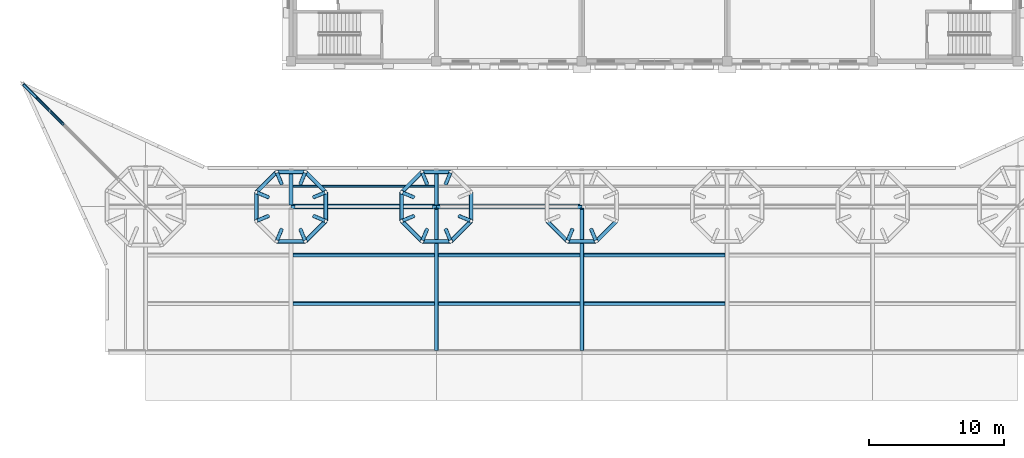
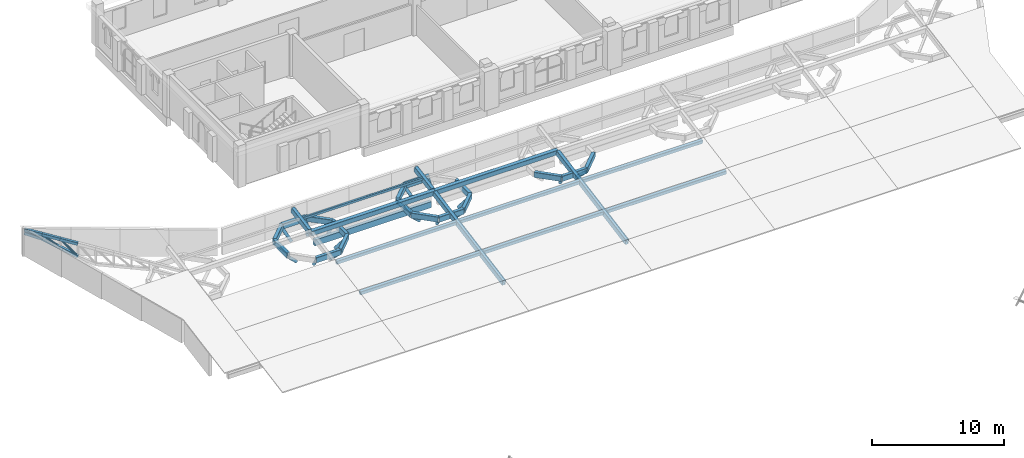
# One storey, part 3 of 32: 31 beams, 25 members.
"""IFC4 building model written with IfcOpenShell, lengths in metres."""

from ifc_helpers import new_model, si_unit, direction, frame, origin, origin_2d, place, context, subcontext, project, spatial, rectangle, hollow_rectangle, hollow_circle, extrude, clip, halfspace, material, material_profile, profile_set, type_object, element, save


model = new_model("IFC4")

# Units and contexts
model_context = context("Model", 3, precision=1e-05, world=origin(), true_north=direction((0.0, 1.0)))
body_context = subcontext(model_context, "Body", "Model", "MODEL_VIEW")
ifc_project = project(units=[si_unit("LENGTHUNIT", "METRE"), si_unit("AREAUNIT", "SQUARE_METRE"), si_unit("VOLUMEUNIT", "CUBIC_METRE"), si_unit("PLANEANGLEUNIT", "RADIAN"), si_unit("MASSUNIT", "GRAM", prefix="KILO")], contexts=[model_context])

# Site, building, storey
site_placement = place(None, origin())
site = spatial("IfcSite", under=ifc_project, at=site_placement, CompositionType="ELEMENT")
building_placement = place(site_placement, origin())
building = spatial("IfcBuilding", under=site, at=building_placement, Name="Magnolia Steps Interchange", CompositionType="ELEMENT")
storey_placement = place(building_placement, frame((0.0, 0.0, 16.5)))
storey = spatial("IfcBuildingStorey", under=building, at=storey_placement, Name="L04", CompositionType="ELEMENT", Elevation=16.5)

# Beams
ifc_material_1 = material(Name="Concrete C40", Category="concrete")
ifc_material_profile_1 = material_profile(ifc_material_1, rectangle(XDim=0.300048828125, YDim=0.550048828125, at=origin_2d()), Name="RC300x550")
ifc_profile_set_1 = profile_set([ifc_material_profile_1], Name="Concrete C40")
beam_type_1 = type_object("IfcBeamType", Name="Hall header sill beam 300x550", PredefinedType="BEAM", material=ifc_profile_set_1)
beam_1_placement = place(storey_placement, frame((64.280029296875, 85.60009765625, 1.126220703125), z_axis=(1.0, 0.0, 0.0), x_axis=(0.0, 1.0, 0.0)))
element("IfcBeam", 1, at=beam_1_placement, inside=storey, type_object=beam_type_1, Name="Hall header sill beam N2", PredefinedType="BEAM", context=body_context, shape_type="SweptSolid", body=[
    extrude(rectangle(XDim=0.300048828125, YDim=0.550048828125, at=origin_2d()), origin(), (0.0, 0.0, 1.0), 10.239990234375),
])
ifc_material_2 = material(Name="Steel Q355B", Category="steel")
ifc_material_profile_2 = material_profile(ifc_material_2, hollow_rectangle(XDim=0.300048828125, YDim=0.5, WallThickness=0.01611328125, InnerFilletRadius=0.01611328125, OuterFilletRadius=0.031982421875, at=origin_2d()), Name="RHS500x300x16")
ifc_profile_set_2 = profile_set([ifc_material_profile_2], Name="Steel Q355B")
beam_type_2 = type_object("IfcBeamType", Name="Ring beam RHS500x300x16", PredefinedType="BEAM", material=ifc_profile_set_2)
beam_2_placement = place(storey_placement, frame((66.580078125, 86.668701171875, 1.55126953125), z_axis=(-0.707163891131, 0.707049666629, 0.0), x_axis=(-0.707049666629, -0.707163891131, 0.0)))
element("IfcBeam", 2, at=beam_2_placement, inside=storey, type_object=beam_type_2, Name="Ring beam TH02E", PredefinedType="BEAM", context=body_context, shape_type="Clipping", body=[
    clip(clip(extrude(hollow_rectangle(XDim=0.300048828125, YDim=0.5, WallThickness=0.01611328125, InnerFilletRadius=0.01611328125, OuterFilletRadius=0.031982421875, at=origin_2d()), origin(), (0.0, 0.0, 1.0), 2.137451171875), halfspace(frame((0.0, 0.0, 0.0), z_axis=(0.382758052, 0.0, -0.92384862), x_axis=(0.923848621, 0.0, 0.382758052)), False)), halfspace(frame((0.0, 0.0, 2.137375265), z_axis=(0.382608811, 0.0, 0.923910438), x_axis=(0.923910438, 0.0, -0.382608811)), False)),
])
beam_3_placement = place(storey_placement, frame((65.068603515625, 88.179931640625, 1.55126953125), z_axis=(-1.0, 0.0, 0.0), x_axis=(0.0, -1.0, 0.0)))
element("IfcBeam", 3, at=beam_3_placement, inside=storey, type_object=beam_type_2, Name="Ring beam TH02E", PredefinedType="BEAM", context=body_context, shape_type="Clipping", body=[
    clip(clip(extrude(hollow_rectangle(XDim=0.300048828125, YDim=0.5, WallThickness=0.01611328125, InnerFilletRadius=0.01611328125, OuterFilletRadius=0.031982421875, at=origin_2d()), origin(), (0.0, 0.0, 1.0), 2.13720703125), halfspace(frame((0.0, 0.0, 0.0), z_axis=(0.382683432, 0.0, -0.923879533), x_axis=(0.923879533, 0.0, 0.382683432)), False)), halfspace(frame((0.0, 0.0, 2.137207031), z_axis=(0.382683432, 0.0, 0.923879533), x_axis=(0.923879533, 0.0, -0.382683432)), False)),
])
beam_4_placement = place(storey_placement, frame((62.931396484375, 88.179931640625, 1.55126953125), z_axis=(-0.707163891131, -0.707049666629, 0.0), x_axis=(0.707049666629, -0.707163891131, 0.0)))
element("IfcBeam", 4, at=beam_4_placement, inside=storey, type_object=beam_type_2, Name="Ring beam TH02E", PredefinedType="BEAM", context=body_context, shape_type="Clipping", body=[
    clip(clip(extrude(hollow_rectangle(XDim=0.300048828125, YDim=0.5, WallThickness=0.01611328125, InnerFilletRadius=0.01611328125, OuterFilletRadius=0.031982421875, at=origin_2d()), origin(), (0.0, 0.0, 1.0), 2.137451171875), halfspace(frame((0.0, 0.0, 0.0), z_axis=(0.382608811, 0.0, -0.923910438), x_axis=(0.923910438, 0.0, 0.382608811)), False)), halfspace(frame((0.0, 0.0, 2.137375265), z_axis=(0.382758052, 0.0, 0.92384862), x_axis=(0.923848621, 0.0, -0.382758052)), False)),
])
beam_5_placement = place(storey_placement, frame((61.419921875, 86.668701171875, 1.55126953125), z_axis=(0.0, -1.0, 0.0), x_axis=(1.0, 0.0, 0.0)))
element("IfcBeam", 5, at=beam_5_placement, inside=storey, type_object=beam_type_2, Name="Ring beam TH02E", PredefinedType="BEAM", context=body_context, shape_type="Clipping", body=[
    clip(clip(extrude(hollow_rectangle(XDim=0.300048828125, YDim=0.5, WallThickness=0.01611328125, InnerFilletRadius=0.01611328125, OuterFilletRadius=0.031982421875, at=origin_2d()), origin(), (0.0, 0.0, 1.0), 2.137451171875), halfspace(frame((0.0, 0.0, 0.0), z_axis=(0.382683432, 0.0, -0.923879533), x_axis=(0.923879533, 0.0, 0.382683432)), False)), halfspace(frame((0.0, 0.0, 2.137451172), z_axis=(0.382683432, 0.0, 0.923879533), x_axis=(0.923879533, 0.0, -0.382683432)), False)),
])
beam_6_placement = place(storey_placement, frame((62.931396484375, 83.02001953125, 1.55126953125), z_axis=(1.0, 0.0, 0.0), x_axis=(0.0, 1.0, 0.0)))
element("IfcBeam", 6, at=beam_6_placement, inside=storey, type_object=beam_type_2, Name="Ring beam TH02E", PredefinedType="BEAM", context=body_context, shape_type="Clipping", body=[
    clip(clip(extrude(hollow_rectangle(XDim=0.300048828125, YDim=0.5, WallThickness=0.01611328125, InnerFilletRadius=0.01611328125, OuterFilletRadius=0.031982421875, at=origin_2d()), origin(), (0.0, 0.0, 1.0), 2.13720703125), halfspace(frame((0.0, 0.0, 0.0), z_axis=(0.382683432, 0.0, -0.923879533), x_axis=(0.923879533, 0.0, 0.382683432)), False)), halfspace(frame((0.0, 0.0, 2.137207031), z_axis=(0.382683432, 0.0, 0.923879533), x_axis=(0.923879533, 0.0, -0.382683432)), False)),
])
beam_7_placement = place(storey_placement, frame((65.068603515625, 83.02001953125, 1.55126953125), z_axis=(0.707163891131, 0.707049666629, 0.0), x_axis=(-0.707049666629, 0.707163891131, 0.0)))
element("IfcBeam", 7, at=beam_7_placement, inside=storey, type_object=beam_type_2, Name="Ring beam TH02E", PredefinedType="BEAM", context=body_context, shape_type="Clipping", body=[
    clip(clip(extrude(hollow_rectangle(XDim=0.300048828125, YDim=0.5, WallThickness=0.01611328125, InnerFilletRadius=0.01611328125, OuterFilletRadius=0.031982421875, at=origin_2d()), origin(), (0.0, 0.0, 1.0), 2.137451171875), halfspace(frame((0.0, 0.0, 0.0), z_axis=(0.382608811, 0.0, -0.923910438), x_axis=(0.923910438, 0.0, 0.382608811)), False)), halfspace(frame((0.0, 0.0, 2.137375265), z_axis=(0.382758052, 0.0, 0.92384862), x_axis=(0.923848621, 0.0, -0.382758052)), False)),
])
for number, where, z_axis, x_axis, name in (
    (8, (66.580078125, 84.53125, 1.55126953125), (0.0, 1.0, 0.0), (-1.0, 0.0, 0.0), "Ring beam TH02E"),
    (9, (75.86865234375, 88.179931640625, 1.55126953125), (-1.0, 0.0, 0.0), (0.0, -1.0, 0.0), "Ring beam TH03E"),
):
    element("IfcBeam", number, at=place(storey_placement, frame(where, z_axis=z_axis, x_axis=x_axis)), inside=storey, type_object=beam_type_2, Name=name, PredefinedType="BEAM", context=body_context, shape_type="Clipping", body=[
        clip(clip(extrude(hollow_rectangle(XDim=0.300048828125, YDim=0.5, WallThickness=0.01611328125, InnerFilletRadius=0.01611328125, OuterFilletRadius=0.031982421875, at=origin_2d()), origin(), (0.0, 0.0, 1.0), 2.137451171875), halfspace(frame((0.0, 0.0, 0.0), z_axis=(0.382683432, 0.0, -0.923879533), x_axis=(0.923879533, 0.0, 0.382683432)), False)), halfspace(frame((0.0, 0.0, 2.137451172), z_axis=(0.382683432, 0.0, 0.923879533), x_axis=(0.923879533, 0.0, -0.382683432)), False)),
    ])
beam_8_placement = place(storey_placement, frame((73.731201171875, 88.179931640625, 1.55126953125), z_axis=(-0.707106781187, -0.707106781187, 0.0), x_axis=(0.707106781187, -0.707106781187, 0.0)))
element("IfcBeam", 10, at=beam_8_placement, inside=storey, type_object=beam_type_2, Name="Ring beam TH03E", PredefinedType="BEAM", context=body_context, shape_type="Clipping", body=[
    clip(clip(extrude(hollow_rectangle(XDim=0.300048828125, YDim=0.5, WallThickness=0.01611328125, InnerFilletRadius=0.01611328125, OuterFilletRadius=0.031982421875, at=origin_2d()), origin(), (0.0, 0.0, 1.0), 2.13720703125), halfspace(frame((0.0, 0.0, 0.0), z_axis=(0.382683433, 0.0, -0.923879532), x_axis=(0.923879532, 0.0, 0.382683433)), False)), halfspace(frame((0.0, 0.0, 2.137202625), z_axis=(0.382683433, 0.0, 0.923879532), x_axis=(0.923879532, 0.0, -0.382683433)), False)),
])
beam_9_placement = place(storey_placement, frame((72.219970703125, 86.668701171875, 1.55126953125), z_axis=(0.0, -1.0, 0.0), x_axis=(1.0, 0.0, 0.0)))
element("IfcBeam", 11, at=beam_9_placement, inside=storey, type_object=beam_type_2, Name="Ring beam TH03E", PredefinedType="BEAM", context=body_context, shape_type="Clipping", body=[
    clip(clip(extrude(hollow_rectangle(XDim=0.300048828125, YDim=0.5, WallThickness=0.01611328125, InnerFilletRadius=0.01611328125, OuterFilletRadius=0.031982421875, at=origin_2d()), origin(), (0.0, 0.0, 1.0), 2.137451171875), halfspace(frame((0.0, 0.0, 0.0), z_axis=(0.382683432, 0.0, -0.923879533), x_axis=(0.923879533, 0.0, 0.382683432)), False)), halfspace(frame((0.0, 0.0, 2.137451172), z_axis=(0.382683432, 0.0, 0.923879533), x_axis=(0.923879533, 0.0, -0.382683432)), False)),
])
beam_10_placement = place(storey_placement, frame((72.219970703125, 84.53125, 1.55126953125), z_axis=(0.707106781187, -0.707106781187, 0.0), x_axis=(0.707106781187, 0.707106781187, 0.0)))
element("IfcBeam", 12, at=beam_10_placement, inside=storey, type_object=beam_type_2, Name="Ring beam TH03E", PredefinedType="BEAM", context=body_context, shape_type="Clipping", body=[
    clip(clip(extrude(hollow_rectangle(XDim=0.300048828125, YDim=0.5, WallThickness=0.01611328125, InnerFilletRadius=0.01611328125, OuterFilletRadius=0.031982421875, at=origin_2d()), origin(), (0.0, 0.0, 1.0), 2.13720703125), halfspace(frame((0.0, 0.0, 0.0), z_axis=(0.382683433, 0.0, -0.923879532), x_axis=(0.923879532, 0.0, 0.382683433)), False)), halfspace(frame((0.0, 0.0, 2.137202625), z_axis=(0.382683433, 0.0, 0.923879532), x_axis=(0.923879532, 0.0, -0.382683433)), False)),
])
beam_11_placement = place(storey_placement, frame((73.731201171875, 83.02001953125, 1.55126953125), z_axis=(1.0, 0.0, 0.0), x_axis=(0.0, 1.0, 0.0)))
element("IfcBeam", 13, at=beam_11_placement, inside=storey, type_object=beam_type_2, Name="Ring beam TH03E", PredefinedType="BEAM", context=body_context, shape_type="Clipping", body=[
    clip(clip(extrude(hollow_rectangle(XDim=0.300048828125, YDim=0.5, WallThickness=0.01611328125, InnerFilletRadius=0.01611328125, OuterFilletRadius=0.031982421875, at=origin_2d()), origin(), (0.0, 0.0, 1.0), 2.137451171875), halfspace(frame((0.0, 0.0, 0.0), z_axis=(0.382683432, 0.0, -0.923879533), x_axis=(0.923879533, 0.0, 0.382683432)), False)), halfspace(frame((0.0, 0.0, 2.137451172), z_axis=(0.382683432, 0.0, 0.923879533), x_axis=(0.923879533, 0.0, -0.382683432)), False)),
])
beam_12_placement = place(storey_placement, frame((75.86865234375, 83.02001953125, 1.55126953125), z_axis=(0.707106781187, 0.707106781187, 0.0), x_axis=(-0.707106781187, 0.707106781187, 0.0)))
element("IfcBeam", 14, at=beam_12_placement, inside=storey, type_object=beam_type_2, Name="Ring beam TH03E", PredefinedType="BEAM", context=body_context, shape_type="Clipping", body=[
    clip(clip(extrude(hollow_rectangle(XDim=0.300048828125, YDim=0.5, WallThickness=0.01611328125, InnerFilletRadius=0.01611328125, OuterFilletRadius=0.031982421875, at=origin_2d()), origin(), (0.0, 0.0, 1.0), 2.13720703125), halfspace(frame((0.0, 0.0, 0.0), z_axis=(0.382683433, 0.0, -0.923879532), x_axis=(0.923879532, 0.0, 0.382683433)), False)), halfspace(frame((0.0, 0.0, 2.137202625), z_axis=(0.382683433, 0.0, 0.923879532), x_axis=(0.923879532, 0.0, -0.382683433)), False)),
])
beam_13_placement = place(storey_placement, frame((77.3798828125, 84.53125, 1.55126953125), z_axis=(0.0, 1.0, 0.0), x_axis=(-1.0, 0.0, 0.0)))
element("IfcBeam", 15, at=beam_13_placement, inside=storey, type_object=beam_type_2, Name="Ring beam TH03E", PredefinedType="BEAM", context=body_context, shape_type="Clipping", body=[
    clip(clip(extrude(hollow_rectangle(XDim=0.300048828125, YDim=0.5, WallThickness=0.01611328125, InnerFilletRadius=0.01611328125, OuterFilletRadius=0.031982421875, at=origin_2d()), origin(), (0.0, 0.0, 1.0), 2.137451171875), halfspace(frame((0.0, 0.0, 0.0), z_axis=(0.382683432, 0.0, -0.923879533), x_axis=(0.923879533, 0.0, 0.382683432)), False)), halfspace(frame((0.0, 0.0, 2.137451172), z_axis=(0.382683432, 0.0, 0.923879533), x_axis=(0.923879533, 0.0, -0.382683432)), False)),
])
beam_14_placement = place(storey_placement, frame((83.02001953125, 84.53125, 1.55126953125), z_axis=(0.707106781187, -0.707106781187, 0.0), x_axis=(0.707106781187, 0.707106781187, 0.0)))
element("IfcBeam", 16, at=beam_14_placement, inside=storey, type_object=beam_type_2, Name="Ring beam TH04E", PredefinedType="BEAM", context=body_context, shape_type="Clipping", body=[
    clip(clip(extrude(hollow_rectangle(XDim=0.300048828125, YDim=0.5, WallThickness=0.01611328125, InnerFilletRadius=0.01611328125, OuterFilletRadius=0.031982421875, at=origin_2d()), origin(), (0.0, 0.0, 1.0), 2.13720703125), halfspace(frame((0.0, 0.0, 0.0), z_axis=(0.382683433, 0.0, -0.923879532), x_axis=(0.923879532, 0.0, 0.382683433)), False)), halfspace(frame((0.0, 0.0, 2.137202625), z_axis=(0.382683433, 0.0, 0.923879532), x_axis=(0.923879532, 0.0, -0.382683433)), False)),
])
beam_15_placement = place(storey_placement, frame((84.53125, 83.02001953125, 1.55126953125), z_axis=(1.0, 0.0, 0.0), x_axis=(0.0, 1.0, 0.0)))
element("IfcBeam", 17, at=beam_15_placement, inside=storey, type_object=beam_type_2, Name="Ring beam TH04E", PredefinedType="BEAM", context=body_context, shape_type="Clipping", body=[
    clip(clip(extrude(hollow_rectangle(XDim=0.300048828125, YDim=0.5, WallThickness=0.01611328125, InnerFilletRadius=0.01611328125, OuterFilletRadius=0.031982421875, at=origin_2d()), origin(), (0.0, 0.0, 1.0), 2.137451171875), halfspace(frame((0.0, 0.0, 0.0), z_axis=(0.382683432, 0.0, -0.923879533), x_axis=(0.923879533, 0.0, 0.382683432)), False)), halfspace(frame((0.0, 0.0, 2.137451172), z_axis=(0.382683432, 0.0, 0.923879533), x_axis=(0.923879533, 0.0, -0.382683432)), False)),
])
beam_16_placement = place(storey_placement, frame((86.668701171875, 83.02001953125, 1.55126953125), z_axis=(0.707106781187, 0.707106781187, 0.0), x_axis=(-0.707106781187, 0.707106781187, 0.0)))
element("IfcBeam", 18, at=beam_16_placement, inside=storey, type_object=beam_type_2, Name="Ring beam TH04E", PredefinedType="BEAM", context=body_context, shape_type="Clipping", body=[
    clip(clip(extrude(hollow_rectangle(XDim=0.300048828125, YDim=0.5, WallThickness=0.01611328125, InnerFilletRadius=0.01611328125, OuterFilletRadius=0.031982421875, at=origin_2d()), origin(), (0.0, 0.0, 1.0), 2.13720703125), halfspace(frame((0.0, 0.0, 0.0), z_axis=(0.382683433, 0.0, -0.923879532), x_axis=(0.923879532, 0.0, 0.382683433)), False)), halfspace(frame((0.0, 0.0, 2.137202625), z_axis=(0.382683433, 0.0, 0.923879532), x_axis=(0.923879532, 0.0, -0.382683433)), False)),
])
ifc_material_3 = material(Name="Steel Q355B", Category="steel")
ifc_material_profile_3 = material_profile(ifc_material_3, hollow_rectangle(XDim=0.300048828125, YDim=0.5, WallThickness=0.01611328125, InnerFilletRadius=0.01611328125, OuterFilletRadius=0.031982421875, at=origin_2d()), Name="RHS500x300x16")
ifc_profile_set_3 = profile_set([ifc_material_profile_3], Name="Steel Q355B")
beam_type_3 = type_object("IfcBeamType", Name="Roof beam RHS500x300x16", PredefinedType="BEAM", material=ifc_profile_set_3)
for number, where, z_axis, x_axis, name in (
    (19, (64.0, 85.60009765625, 2.095458984375), (1.0, 0.0, 0.0), (0.0, 0.98367737698, 0.17994115154), "Roof beam"),
    (20, (74.800048828125, 85.60009765625, 2.095458984375), (1.0, 0.0, 0.0), (0.0, 0.98367737698, 0.17994115154), "Roof beam"),
):
    element("IfcBeam", number, at=place(storey_placement, frame(where, z_axis=z_axis, x_axis=x_axis)), inside=storey, type_object=beam_type_3, Name=name, PredefinedType="BEAM", context=body_context, shape_type="SweptSolid", body=[
        extrude(hollow_rectangle(XDim=0.300048828125, YDim=0.5, WallThickness=0.01611328125, InnerFilletRadius=0.01611328125, OuterFilletRadius=0.031982421875, at=origin_2d()), origin(), (0.0, 0.0, 1.0), 10.800048828125),
    ])
beam_17_placement = place(storey_placement, frame((64.0, 85.75, 2.122802734375), z_axis=(0.0, 0.983672002348, 0.179970530357), x_axis=(-1.0, 0.0, 0.0)))
element("IfcBeam", 21, at=beam_17_placement, inside=storey, type_object=beam_type_3, Name="Roof beam", PredefinedType="BEAM", context=body_context, shape_type="SweptSolid", body=[
    extrude(hollow_rectangle(XDim=0.300048828125, YDim=0.5, WallThickness=0.01611328125, InnerFilletRadius=0.01611328125, OuterFilletRadius=0.031982421875, at=origin_2d()), origin(), (0.0, 0.0, 1.0), 2.633056640625),
])
beam_18_placement = place(storey_placement, frame((74.800048828125, 74.949951171875, 0.147216796875), z_axis=(0.0, 0.98367464182, 0.179956103093), x_axis=(-1.0, 0.0, 0.0)))
element("IfcBeam", 22, at=beam_18_placement, inside=storey, type_object=beam_type_3, Name="Roof beam", PredefinedType="BEAM", context=body_context, shape_type="SweptSolid", body=[
    extrude(hollow_rectangle(XDim=0.300048828125, YDim=0.5, WallThickness=0.01611328125, InnerFilletRadius=0.01611328125, OuterFilletRadius=0.031982421875, at=origin_2d()), origin(), (0.0, 0.0, 1.0), 10.67431640625),
])
beam_19_placement = place(storey_placement, frame((74.800048828125, 85.75, 2.122802734375), z_axis=(0.0, 0.983672002348, 0.179970530357), x_axis=(-1.0, 0.0, 0.0)))
element("IfcBeam", 23, at=beam_19_placement, inside=storey, type_object=beam_type_3, Name="Roof beam", PredefinedType="BEAM", context=body_context, shape_type="SweptSolid", body=[
    extrude(hollow_rectangle(XDim=0.300048828125, YDim=0.5, WallThickness=0.01611328125, InnerFilletRadius=0.01611328125, OuterFilletRadius=0.031982421875, at=origin_2d()), origin(), (0.0, 0.0, 1.0), 2.633056640625),
])
beam_20_placement = place(storey_placement, frame((85.60009765625, 74.949951171875, 0.147216796875), z_axis=(0.0, 0.98367464182, 0.179956103093), x_axis=(-1.0, 0.0, 0.0)))
element("IfcBeam", 24, at=beam_20_placement, inside=storey, type_object=beam_type_3, Name="Roof beam", PredefinedType="BEAM", context=body_context, shape_type="SweptSolid", body=[
    extrude(hollow_rectangle(XDim=0.300048828125, YDim=0.5, WallThickness=0.01611328125, InnerFilletRadius=0.01611328125, OuterFilletRadius=0.031982421875, at=origin_2d()), origin(), (0.0, 0.0, 1.0), 10.67431640625),
])
ifc_material_4 = material(Name="Steel Q355B", Category="steel")
ifc_material_profile_4 = material_profile(ifc_material_4, hollow_rectangle(XDim=0.14990234375, YDim=0.25, WallThickness=0.008056640625, InnerFilletRadius=0.008056640625, OuterFilletRadius=0.01611328125, at=origin_2d()), Name="RHS250x150x8")
ifc_profile_set_4 = profile_set([ifc_material_profile_4], Name="Steel Q355B")
beam_type_4 = type_object("IfcBeamType", Name="Roof edge joist RHS250x150x8", PredefinedType="BEAM", material=ifc_profile_set_4)
beam_21_placement = place(storey_placement, frame((64.14990234375, 87.10009765625, 2.496826171875), z_axis=(1.0, 0.0, 0.0), x_axis=(0.0, 0.98367737698, 0.17994115154)))
element("IfcBeam", 25, at=beam_21_placement, inside=storey, type_object=beam_type_4, Name="Roof edge joist", PredefinedType="BEAM", context=body_context, shape_type="SweptSolid", body=[
    extrude(hollow_rectangle(XDim=0.14990234375, YDim=0.25, WallThickness=0.008056640625, InnerFilletRadius=0.008056640625, OuterFilletRadius=0.01611328125, at=origin_2d()), origin(), (0.0, 0.0, 1.0), 10.5),
])
ifc_material_5 = material(Name="Steel Q355B", Category="steel")
ifc_material_profile_5 = material_profile(ifc_material_5, hollow_rectangle(XDim=0.25, YDim=0.35009765625, WallThickness=0.011962890625, InnerFilletRadius=0.011962890625, OuterFilletRadius=0.02392578125, at=origin_2d()), Name="RHS350x250x12")
ifc_profile_set_5 = profile_set([ifc_material_profile_5], Name="Steel Q355B")
beam_type_5 = type_object("IfcBeamType", Name="Roof joist RHS350x250x12", PredefinedType="BEAM", material=ifc_profile_set_5)
for number, where, z_axis, x_axis, name in (
    (26, (64.14990234375, 78.39990234375, 0.8544921875), (1.0, 0.0, 0.0), (0.0, 0.98367737698, 0.17994115154), "Roof joist"),
    (27, (74.949951171875, 78.39990234375, 0.8544921875), (1.0, 0.0, 0.0), (0.0, 0.98367737698, 0.17994115154), "Roof joist"),
    (28, (85.75, 78.39990234375, 0.8544921875), (1.0, 0.0, 0.0), (0.0, 0.98367737698, 0.17994115154), "Roof joist"),
    (29, (64.14990234375, 82.0, 1.51318359375), (1.0, 0.0, 0.0), (0.0, 0.98367737698, 0.17994115154), "Roof joist"),
    (30, (74.949951171875, 82.0, 1.51318359375), (1.0, 0.0, 0.0), (0.0, 0.98367737698, 0.17994115154), "Roof joist"),
    (31, (85.75, 82.0, 1.51318359375), (1.0, 0.0, 0.0), (0.0, 0.98367737698, 0.17994115154), "Roof joist"),
):
    element("IfcBeam", number, at=place(storey_placement, frame(where, z_axis=z_axis, x_axis=x_axis)), inside=storey, type_object=beam_type_5, Name=name, PredefinedType="BEAM", context=body_context, shape_type="SweptSolid", body=[
        extrude(hollow_rectangle(XDim=0.25, YDim=0.35009765625, WallThickness=0.011962890625, InnerFilletRadius=0.011962890625, OuterFilletRadius=0.02392578125, at=origin_2d()), origin(), (0.0, 0.0, 1.0), 10.5),
    ])

# Members
ifc_material_6 = material(Name="Steel Q355B", Category="steel")
ifc_material_profile_6 = material_profile(ifc_material_6, hollow_rectangle(XDim=0.199951171875, YDim=0.300048828125, WallThickness=0.011962890625, InnerFilletRadius=0.011962890625, OuterFilletRadius=0.02392578125, at=origin_2d()), Name="RHS300x200x12")
ifc_profile_set_6 = profile_set([ifc_material_profile_6], Name="Steel Q355B")
member_type_1 = type_object("IfcMemberType", Name="Roof truss RHS300x200x12", PredefinedType="USERDEFINED", material=ifc_profile_set_6)
member_1_placement = place(storey_placement, frame((47.094482421875, 91.70556640625, 3.31396484375), z_axis=(-0.701272583716, 0.701272583716, 0.128193317515), x_axis=(-0.712893231565, -0.689825978392, -0.126187796256)))
element("IfcMember", 32, at=member_1_placement, inside=storey, type_object=member_type_1, Name="Spike truss SP-H-NW top chord", ObjectType="Roof truss", PredefinedType="USERDEFINED", context=body_context, shape_type="SweptSolid", body=[
    extrude(hollow_rectangle(XDim=0.199951171875, YDim=0.300048828125, WallThickness=0.011962890625, InnerFilletRadius=0.011962890625, OuterFilletRadius=0.02392578125, at=origin_2d()), origin(), (0.0, 0.0, 1.0), 1.4169921875),
])
member_2_placement = place(storey_placement, frame((46.100830078125, 92.69921875, 3.49560546875), z_axis=(-0.701254244059, 0.701254244059, 0.128393809738), x_axis=(-0.712911269966, -0.689807939991, -0.126184496197)))
element("IfcMember", 33, at=member_2_placement, inside=storey, type_object=member_type_1, Name="Spike truss SP-H-NW top chord", ObjectType="Roof truss", PredefinedType="USERDEFINED", context=body_context, shape_type="SweptSolid", body=[
    extrude(hollow_rectangle(XDim=0.199951171875, YDim=0.300048828125, WallThickness=0.011962890625, InnerFilletRadius=0.011962890625, OuterFilletRadius=0.02392578125, at=origin_2d()), origin(), (0.0, 0.0, 1.0), 1.41650390625),
])
member_3_placement = place(storey_placement, frame((45.107421875, 93.692626953125, 3.677490234375), z_axis=(-0.701272583716, 0.701272583716, 0.128193317515), x_axis=(-0.712893231565, -0.689825978392, -0.126187796256)))
element("IfcMember", 34, at=member_3_placement, inside=storey, type_object=member_type_1, Name="Spike truss SP-H-NW top chord", ObjectType="Roof truss", PredefinedType="USERDEFINED", context=body_context, shape_type="SweptSolid", body=[
    extrude(hollow_rectangle(XDim=0.199951171875, YDim=0.300048828125, WallThickness=0.011962890625, InnerFilletRadius=0.011962890625, OuterFilletRadius=0.02392578125, at=origin_2d()), origin(), (0.0, 0.0, 1.0), 1.4169921875),
])
member_4_placement = place(storey_placement, frame((47.094482421875, 91.70556640625, 2.12890625), z_axis=(-0.654128096881, 0.654128096881, 0.379780022833), x_axis=(-0.736300491863, -0.665610329011, -0.121755803135)))
element("IfcMember", 35, at=member_4_placement, inside=storey, type_object=member_type_1, Name="Spike truss SP-H-NW bottom chord", ObjectType="Roof truss", PredefinedType="USERDEFINED", context=body_context, shape_type="SweptSolid", body=[
    extrude(hollow_rectangle(XDim=0.199951171875, YDim=0.300048828125, WallThickness=0.011962890625, InnerFilletRadius=0.011962890625, OuterFilletRadius=0.02392578125, at=origin_2d()), origin(), (0.0, 0.0, 1.0), 1.51904296875),
])
member_5_placement = place(storey_placement, frame((46.100830078125, 92.69921875, 2.705810546875), z_axis=(-0.654144845819, 0.654144845819, 0.379722321411), x_axis=(-0.73629512175, -0.665615699123, -0.12175892069)))
element("IfcMember", 36, at=member_5_placement, inside=storey, type_object=member_type_1, Name="Spike truss SP-H-NW bottom chord", ObjectType="Roof truss", PredefinedType="USERDEFINED", context=body_context, shape_type="SweptSolid", body=[
    extrude(hollow_rectangle(XDim=0.199951171875, YDim=0.300048828125, WallThickness=0.011962890625, InnerFilletRadius=0.011962890625, OuterFilletRadius=0.02392578125, at=origin_2d()), origin(), (0.0, 0.0, 1.0), 1.5185546875),
])
member_6_placement = place(storey_placement, frame((45.107421875, 93.692626953125, 3.282470703125), z_axis=(-0.693793227917, 0.693793227917, 0.193137033717), x_axis=(-0.718748690829, -0.68392116654, -0.125108582398)))
element("IfcMember", 37, at=member_6_placement, inside=storey, type_object=member_type_1, Name="Spike truss SP-H-NW bottom chord", ObjectType="Roof truss", PredefinedType="USERDEFINED", context=body_context, shape_type="SweptSolid", body=[
    extrude(hollow_rectangle(XDim=0.199951171875, YDim=0.300048828125, WallThickness=0.011962890625, InnerFilletRadius=0.011962890625, OuterFilletRadius=0.02392578125, at=origin_2d()), origin(), (0.0, 0.0, 1.0), 1.43212890625),
])
ifc_material_7 = material(Name="Steel Q355B", Category="steel")
ifc_material_profile_7 = material_profile(ifc_material_7, hollow_circle(Radius=0.083984375, WallThickness=0.008056640625, at=origin_2d()), Name="CHS168x8")
ifc_profile_set_7 = profile_set([ifc_material_profile_7], Name="Steel Q355B")
member_type_2 = type_object("IfcMemberType", Name="Roof truss diagonal CHS168x8", PredefinedType="USERDEFINED", material=ifc_profile_set_7)
member_7_placement = place(storey_placement, frame((47.094482421875, 91.70556640625, 2.12890625), z_axis=(-0.506902365757, 0.506902365757, 0.697208708479), x_axis=(-0.77621785359, -0.620173007569, -0.113451683334)))
element("IfcMember", 38, at=member_7_placement, inside=storey, type_object=member_type_2, Name="Spike truss SP-H-NW diagonal", ObjectType="Roof truss diagonal", PredefinedType="USERDEFINED", context=body_context, shape_type="SweptSolid", body=[
    extrude(hollow_circle(Radius=0.083984375, WallThickness=0.008056640625, at=origin_2d()), origin(), (0.0, 0.0, 1.0), 1.960205078125),
])
member_8_placement = place(storey_placement, frame((46.100830078125, 92.69921875, 2.705810546875), z_axis=(-0.581559218249, 0.581559218249, 0.568838950266), x_axis=(-0.757320619704, -0.642384406906, -0.117506394441)))
element("IfcMember", 39, at=member_8_placement, inside=storey, type_object=member_type_2, Name="Spike truss SP-H-NW diagonal", ObjectType="Roof truss diagonal", PredefinedType="USERDEFINED", context=body_context, shape_type="SweptSolid", body=[
    extrude(hollow_circle(Radius=0.083984375, WallThickness=0.008056640625, at=origin_2d()), origin(), (0.0, 0.0, 1.0), 1.708251953125),
])
ifc_material_8 = material(Name="Steel Q355B", Category="steel")
ifc_material_profile_8 = material_profile(ifc_material_8, hollow_circle(Radius=0.136474609375, WallThickness=0.013916015625, at=origin_2d()), Name="CHS273x14")
ifc_profile_set_8 = profile_set([ifc_material_profile_8], Name="Steel Q355B")
member_type_3 = type_object("IfcMemberType", Name="Tree rib CHS273x14", PredefinedType="USERDEFINED", material=ifc_profile_set_8)
member_9_placement = place(storey_placement, frame((65.705078125, 86.306396484375, 0.48681640625), z_axis=(0.6647035969, 0.275228833092, 0.694563328792), x_axis=(-0.382564297979, 0.923928870591, 0.0)))
element("IfcMember", 40, at=member_9_placement, inside=storey, type_object=member_type_3, Name="Tree rib TH02E", ObjectType="TREE RIB", PredefinedType="USERDEFINED", context=body_context, shape_type="SweptSolid", body=[
    extrude(hollow_circle(Radius=0.136474609375, WallThickness=0.013916015625, at=origin_2d()), origin(), (0.0, 0.0, 1.0), 1.31640625),
])
for number, where, z_axis, x_axis, name in (
    (41, (64.706298828125, 87.30517578125, 0.48681640625), (0.275262764485, 0.664600057379, 0.694648957546), (-0.92389112775, 0.382655437784, 0.0), "Tree rib TH02E"),
    (42, (63.293701171875, 87.30517578125, 0.48681640625), (-0.275262764485, 0.664600057379, 0.694648957546), (-0.92389112775, -0.382655437784, 0.0), "Tree rib TH02E"),
):
    element("IfcMember", number, at=place(storey_placement, frame(where, z_axis=z_axis, x_axis=x_axis)), inside=storey, type_object=member_type_3, Name=name, ObjectType="TREE RIB", PredefinedType="USERDEFINED", context=body_context, shape_type="SweptSolid", body=[
        extrude(hollow_circle(Radius=0.136474609375, WallThickness=0.013916015625, at=origin_2d()), origin(), (0.0, 0.0, 1.0), 1.316162109375),
    ])
for number, where, z_axis, x_axis, name in (
    (43, (62.294921875, 86.306396484375, 0.48681640625), (-0.6647035969, 0.275228833092, 0.694563328792), (-0.382564297979, -0.923928870591, 0.0), "Tree rib TH02E"),
    (44, (62.294921875, 84.893798828125, 0.48681640625), (-0.664669658214, -0.275400235058, 0.694527865517), (0.382784328718, -0.923837733418, 0.0), "Tree rib TH02E"),
):
    element("IfcMember", number, at=place(storey_placement, frame(where, z_axis=z_axis, x_axis=x_axis)), inside=storey, type_object=member_type_3, Name=name, ObjectType="TREE RIB", PredefinedType="USERDEFINED", context=body_context, shape_type="SweptSolid", body=[
        extrude(hollow_circle(Radius=0.136474609375, WallThickness=0.013916015625, at=origin_2d()), origin(), (0.0, 0.0, 1.0), 1.31640625),
    ])
for number, where, z_axis, x_axis, name in (
    (45, (63.293701171875, 83.894775390625, 0.48681640625), (-0.275262764485, -0.664600057379, 0.694648957546), (0.92389112775, -0.382655437784, 0.0), "Tree rib TH02E"),
    (46, (64.706298828125, 83.894775390625, 0.48681640625), (0.275262764485, -0.664600057379, 0.694648957546), (0.92389112775, 0.382655437784, 0.0), "Tree rib TH02E"),
):
    element("IfcMember", number, at=place(storey_placement, frame(where, z_axis=z_axis, x_axis=x_axis)), inside=storey, type_object=member_type_3, Name=name, ObjectType="TREE RIB", PredefinedType="USERDEFINED", context=body_context, shape_type="SweptSolid", body=[
        extrude(hollow_circle(Radius=0.136474609375, WallThickness=0.013916015625, at=origin_2d()), origin(), (0.0, 0.0, 1.0), 1.316162109375),
    ])
member_10_placement = place(storey_placement, frame((65.705078125, 84.893798828125, 0.48681640625), z_axis=(0.664669658214, -0.275400235058, 0.694527865517), x_axis=(0.382784328718, 0.923837733418, 0.0)))
element("IfcMember", 47, at=member_10_placement, inside=storey, type_object=member_type_3, Name="Tree rib TH02E", ObjectType="TREE RIB", PredefinedType="USERDEFINED", context=body_context, shape_type="SweptSolid", body=[
    extrude(hollow_circle(Radius=0.136474609375, WallThickness=0.013916015625, at=origin_2d()), origin(), (0.0, 0.0, 1.0), 1.31640625),
])
for number, where, z_axis, x_axis, name in (
    (48, (75.50634765625, 87.30517578125, 0.48681640625), (0.275262764485, 0.664600057379, 0.694648957546), (-0.92389112775, 0.382655437784, 0.0), "Tree rib TH03E"),
    (49, (74.09375, 87.30517578125, 0.48681640625), (-0.275434184115, 0.664566115613, 0.694613481153), (-0.923799950879, -0.382875502946, 0.0), "Tree rib TH03E"),
    (50, (73.0947265625, 86.306396484375, 0.48681640625), (-0.664600057379, 0.275262764485, 0.694648957546), (-0.382655437784, -0.92389112775, 0.0), "Tree rib TH03E"),
    (51, (73.0947265625, 84.893798828125, 0.48681640625), (-0.664566115613, -0.275434184115, 0.694613481153), (0.382875502946, -0.923799950879, 0.0), "Tree rib TH03E"),
    (52, (74.09375, 83.894775390625, 0.48681640625), (-0.275434184115, -0.664566115613, 0.694613481153), (0.923799950879, -0.382875502946, 0.0), "Tree rib TH03E"),
    (53, (75.50634765625, 83.894775390625, 0.48681640625), (0.275262764485, -0.664600057379, 0.694648957546), (0.92389112775, 0.382655437784, 0.0), "Tree rib TH03E"),
    (54, (76.505126953125, 84.893798828125, 0.48681640625), (0.664566115613, -0.275434184115, 0.694613481153), (0.382875502946, 0.923799950879, 0.0), "Tree rib TH03E"),
    (55, (84.893798828125, 83.894775390625, 0.48681640625), (-0.275434184115, -0.664566115613, 0.694613481153), (0.923799950879, -0.382875502946, 0.0), "Tree rib TH04E"),
    (56, (86.306396484375, 83.894775390625, 0.48681640625), (0.275262764485, -0.664600057379, 0.694648957546), (0.92389112775, 0.382655437784, 0.0), "Tree rib TH04E"),
):
    element("IfcMember", number, at=place(storey_placement, frame(where, z_axis=z_axis, x_axis=x_axis)), inside=storey, type_object=member_type_3, Name=name, ObjectType="TREE RIB", PredefinedType="USERDEFINED", context=body_context, shape_type="SweptSolid", body=[
        extrude(hollow_circle(Radius=0.136474609375, WallThickness=0.013916015625, at=origin_2d()), origin(), (0.0, 0.0, 1.0), 1.316162109375),
    ])

save(model, "model.ifc")
